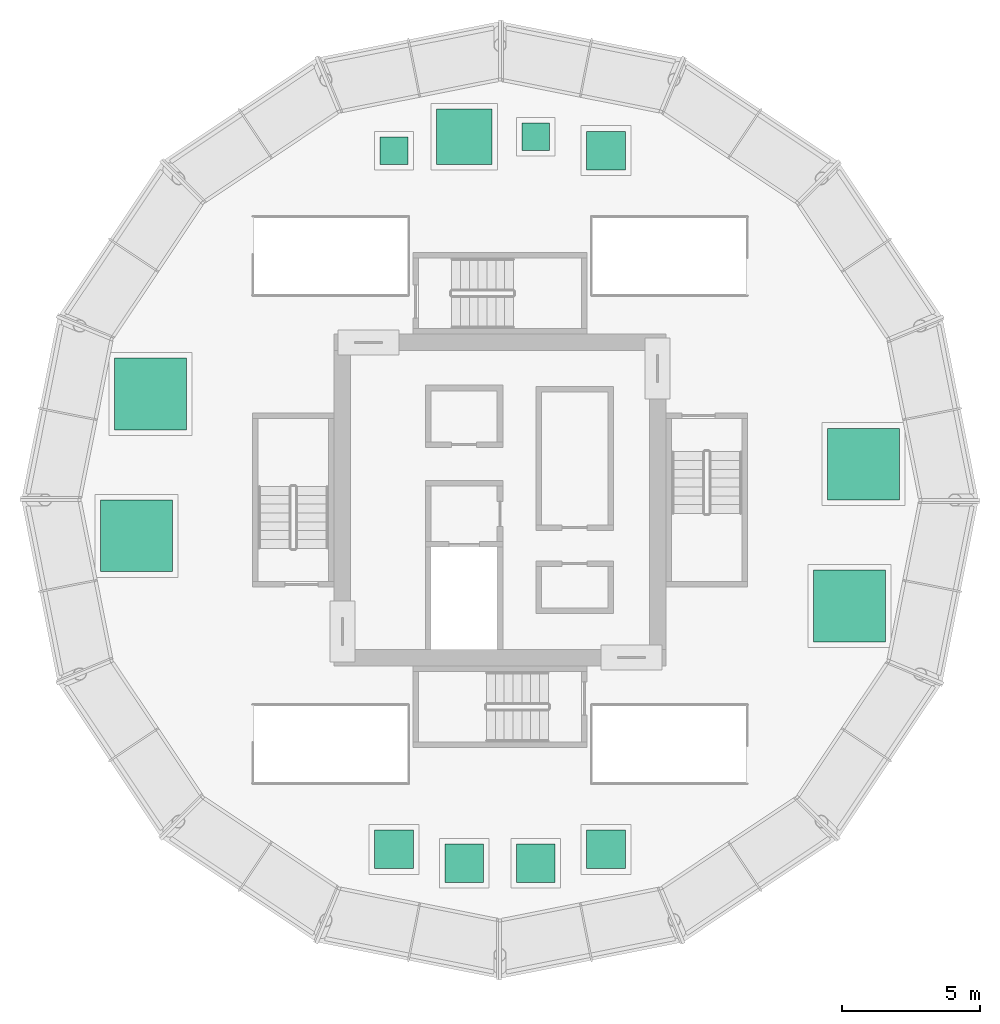
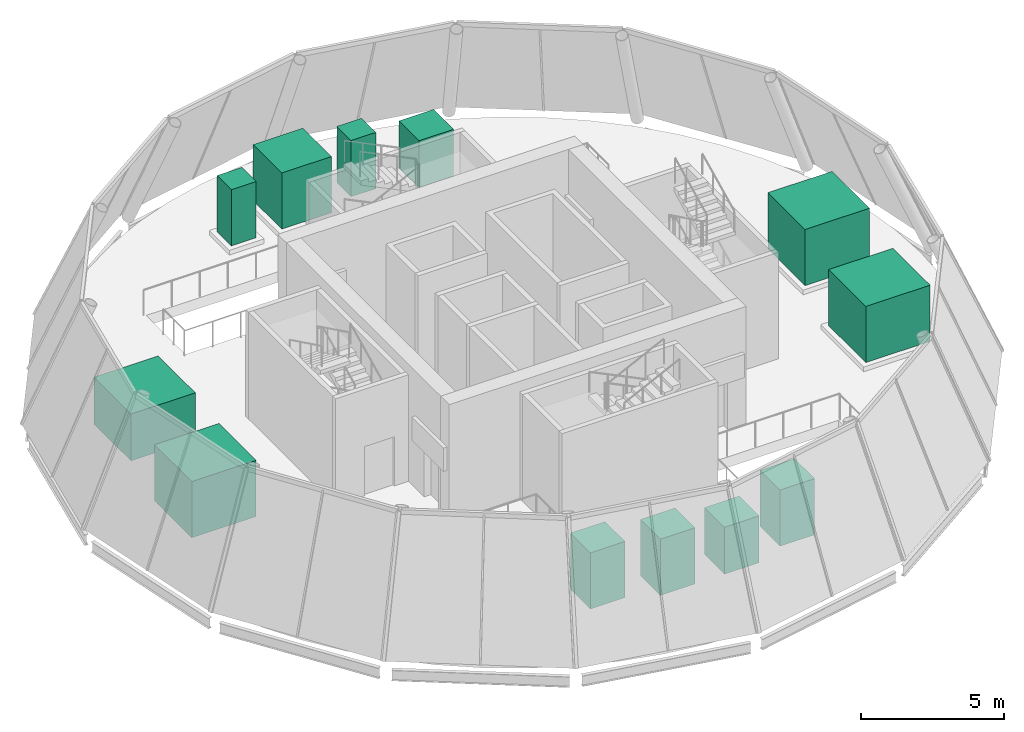
# One storey, part 8 of 8: 3 chillers, 3 electric motors, 3 tanks, 3 unitary equipment elements.
"""IFC4 building model written with IfcOpenShell, lengths in metres."""

import ifcopenshell
import ifcopenshell.guid

model = None  # the IFC model being written
_history = None  # IfcOwnerHistory: only IFC2X3 demands one
_inside = {}  # id of a spatial element -> (the spatial element, [elements in it])
_under = {}  # id of a project, library or spatial element -> (it, [spatial elements below it])
_declared = {}  # id of a project -> (the project, [libraries it declares])
_typed = {}  # id of a type object -> (the type object, [elements of that type])
_made_of = {}  # id of a material, layer set ... -> (it, [elements and type objects made of it])


def new_model(schema):
    """Start an empty IFC model of exactly this schema.

    Asked for "IFC4X3", IfcOpenShell would pick the latest addendum, in which some entities
    have other attributes; the version numbers below select the first issue.
    IFC2X3 requires an IfcOwnerHistory on every rooted entity: one is made here for all.
    """
    global model, _history
    if schema == "IFC4X3":
        model = ifcopenshell.file(schema_version=(4, 3, 0, 0))
    else:
        model = ifcopenshell.file(schema=schema)
    _inside.clear()
    _under.clear()
    _declared.clear()
    _typed.clear()
    _made_of.clear()
    _history = None
    if model.schema == "IFC2X3":
        org = make("IfcOrganization", Name="unknown")
        user = make(
            "IfcPersonAndOrganization",
            ThePerson=make("IfcPerson", FamilyName="unknown"),
            TheOrganization=org,
        )
        app = make(
            "IfcApplication",
            ApplicationDeveloper=org,
            Version="unknown",
            ApplicationFullName="unknown",
            ApplicationIdentifier="unknown",
        )
        _history = make(
            "IfcOwnerHistory",
            OwningUser=user,
            OwningApplication=app,
            ChangeAction="ADDED",
            CreationDate=0,
        )
    return model


def make(cls, **values):
    """One entity of the class cls with the attributes given. An attribute that is None is left unset."""
    return model.create_entity(
        cls, **{name: value for name, value in values.items() if value is not None}
    )


def rooted(cls, **values):
    """An entity with a GlobalId (a new one), such as an element, a storey or a relation."""
    return make(cls, GlobalId=ifcopenshell.guid.new(), OwnerHistory=_history, **values)


def si_unit(unit_type, name, prefix=None):
    """IfcSIUnit, for example si_unit("LENGTHUNIT", "METRE", prefix="MILLI")."""
    return make("IfcSIUnit", UnitType=unit_type, Prefix=prefix, Name=name)


def assignment(units):
    """IfcUnitAssignment: the units of a project."""
    return None if units is None else make("IfcUnitAssignment", Units=units)


def point(xyz):
    """IfcCartesianPoint."""
    return None if xyz is None else make("IfcCartesianPoint", Coordinates=xyz)


def direction(xyz):
    """IfcDirection."""
    return None if xyz is None else make("IfcDirection", DirectionRatios=xyz)


def frame(location, z_axis=None, x_axis=None):
    """IfcAxis2Placement3D, a coordinate frame: its origin and axes. An axis left out is left unset."""
    return make(
        "IfcAxis2Placement3D",
        Location=point(location),
        Axis=direction(z_axis),
        RefDirection=direction(x_axis),
    )


def frame_2d(location, x_axis=None):
    """IfcAxis2Placement2D, a coordinate frame in the plane: its origin and x axis."""
    return make(
        "IfcAxis2Placement2D", Location=point(location), RefDirection=direction(x_axis)
    )


def origin():
    """The frame at (0, 0, 0) with its axes left unset."""
    return frame((0.0, 0.0, 0.0))


def origin_2d():
    """The frame at (0, 0) in the plane with its x axis left unset."""
    return frame_2d((0.0, 0.0))


def place(relative_to, where):
    """IfcLocalPlacement: puts the frame where relative to a parent placement (None: the world)."""
    return make(
        "IfcLocalPlacement", PlacementRelTo=relative_to, RelativePlacement=where
    )


def context(
    kind, dimensions, precision=None, world=None, true_north=None, identifier=None
):
    """IfcGeometricRepresentationContext, for example the 3D "Model" context."""
    return make(
        "IfcGeometricRepresentationContext",
        ContextIdentifier=identifier,
        ContextType=kind,
        CoordinateSpaceDimension=dimensions,
        Precision=precision,
        WorldCoordinateSystem=world,
        TrueNorth=true_north,
    )


def subcontext(parent, identifier, kind, view, scale=None):
    """IfcGeometricRepresentationSubContext, for example "Body" below "Model"."""
    return make(
        "IfcGeometricRepresentationSubContext",
        ContextIdentifier=identifier,
        ContextType=kind,
        ParentContext=parent,
        TargetScale=scale,
        TargetView=view,
    )


def project(units=None, contexts=None):
    """IfcProject with its units and contexts."""
    return rooted(
        "IfcProject",
        Name="project",
        RepresentationContexts=contexts,
        UnitsInContext=assignment(units),
    )


def spatial(cls, under=None, at=None, **own):
    """A site, building, storey or space (cls), placed at a placement, below another one or the project."""
    s = rooted(cls, ObjectPlacement=at, **own)
    if under is not None:
        _under.setdefault(under.id(), (under, []))[1].append(s)
    return s


def profile(cls, at=None, kind="AREA", **sizes):
    """A parametric profile (cls). Its sizes go by their IFC names, for example OverallWidth=200.0."""
    return make(cls, ProfileType=kind, Position=at, **sizes)


def rectangle(**sizes):
    """IfcRectangleProfileDef."""
    return profile("IfcRectangleProfileDef", **sizes)


def extrude(swept, where, along, depth):
    """IfcExtrudedAreaSolid: the profile swept, set in the frame where, extruded along a direction by depth."""
    return make(
        "IfcExtrudedAreaSolid",
        SweptArea=swept,
        Position=where,
        ExtrudedDirection=direction(along),
        Depth=depth,
    )


def shape(context_of_items, identifier, shape_type, items):
    """IfcShapeRepresentation: the items that make up one representation, for example the "Body"."""
    return make(
        "IfcShapeRepresentation",
        ContextOfItems=context_of_items,
        RepresentationIdentifier=identifier,
        RepresentationType=shape_type,
        Items=items,
    )


def made_of(thing, what):
    """Note that an element or type object is made of a material, layer set ...; save() writes the relation."""
    if what is not None:
        _made_of.setdefault(what.id(), (what, []))[1].append(thing)
    return thing


def element(
    cls,
    number,
    at=None,
    inside=None,
    cuts=None,
    type_object=None,
    material=None,
    context=None,
    identifier="Body",
    shape_type=None,
    held_by="IfcProductDefinitionShape",
    body=None,
    shapes=None,
    **own,
):
    """One element of the class cls, such as IfcWall. Its Tag is "e" and its number.

    at: its placement. inside: the storey or other place that contains it. cuts: it is an
    opening in that element (IfcRelVoidsElement). A single representation is given by context,
    identifier, shape_type and body (its items); several are given by shapes. held_by: the class
    of the entity that holds the representations. save() writes the other relations.
    """
    e = rooted(cls, Tag="e%d" % number, ObjectPlacement=at, **own)
    if body is not None:
        shapes = [shape(context, identifier, shape_type, body)]
    if shapes is not None:
        e.Representation = make(held_by, Representations=shapes)
    if inside is not None:
        _inside.setdefault(inside.id(), (inside, []))[1].append(e)
    if cuts is not None:
        rooted(
            "IfcRelVoidsElement", RelatingBuildingElement=cuts, RelatedOpeningElement=e
        )
    if type_object is not None:
        _typed.setdefault(type_object.id(), (type_object, []))[1].append(e)
    return made_of(e, material)


def aggregate(whole, parts):
    """IfcRelAggregates: a whole, such as a stair, and the parts it consists of."""
    return rooted("IfcRelAggregates", RelatingObject=whole, RelatedObjects=parts)


def save(model, path):
    """Write the relations noted so far, then the file.

    IfcRelAggregates (storeys below a building ...), IfcRelContainedInSpatialStructure (elements
    in a storey), IfcRelDefinesByType, IfcRelAssociatesMaterial and IfcRelDeclares: one each for
    every whole, place, type object, material and project.
    """
    for whole, parts in _under.values():
        aggregate(whole, parts)
    for where, things in _inside.values():
        rooted(
            "IfcRelContainedInSpatialStructure",
            RelatedElements=things,
            RelatingStructure=where,
        )
    for kind, things in _typed.values():
        rooted("IfcRelDefinesByType", RelatedObjects=things, RelatingType=kind)
    for what, things in _made_of.values():
        rooted("IfcRelAssociatesMaterial", RelatedObjects=things, RelatingMaterial=what)
    for by, libraries in _declared.values():
        rooted("IfcRelDeclares", RelatingContext=by, RelatedDefinitions=libraries)
    model.write(path)


model = new_model("IFC4")

# Units and contexts
model_context = context("Model", 3, precision=1e-05, world=origin(), true_north=direction((0.0, 1.0)))
body_context = subcontext(model_context, "Body", "Model", "MODEL_VIEW")
ifc_project = project(units=[si_unit("LENGTHUNIT", "METRE"), si_unit("AREAUNIT", "SQUARE_METRE"), si_unit("VOLUMEUNIT", "CUBIC_METRE"), si_unit("PLANEANGLEUNIT", "RADIAN"), si_unit("MASSUNIT", "GRAM", prefix="KILO")], contexts=[model_context])

# Site, building, storey
site_placement = place(None, origin())
site = spatial("IfcSite", under=ifc_project, at=site_placement, CompositionType="ELEMENT")
building_placement = place(site_placement, origin())
building = spatial("IfcBuilding", under=site, at=building_placement, Name="Corvane Civic Tower", CompositionType="ELEMENT")
storey_placement = place(building_placement, frame((0.0, 0.0, 392.5)))
storey = spatial("IfcBuildingStorey", under=building, at=storey_placement, Name="L93", CompositionType="ELEMENT", Elevation=392.5)

# Unitary equipment
unitary_equipment_1_placement = place(storey_placement, frame((-1.2939453125, 13.135986328125, 0.199951171875), z_axis=(0.0, 0.0, 1.0), x_axis=(1.0, 0.0, 0.0)))
element("IfcUnitaryEquipment", 1, at=unitary_equipment_1_placement, inside=storey, Name="Air handler L93-01", PredefinedType="AIRHANDLER", context=body_context, shape_type="SweptSolid", body=[
    extrude(rectangle(XDim=2.0, YDim=2.0, at=origin_2d()), origin(), (0.0, 0.0, 1.0), 2.39990234375),
])

# Chiller
chiller_1_placement = place(storey_placement, frame((-3.83203125, 12.632080078125, 0.199951171875), z_axis=(0.0, 0.0, 1.0), x_axis=(1.0, 0.0, 0.0)))
element("IfcChiller", 2, at=chiller_1_placement, inside=storey, Name="Chiller L93-02", PredefinedType="WATERCOOLED", context=body_context, shape_type="SweptSolid", body=[
    extrude(rectangle(XDim=1.0, YDim=1.0, at=origin_2d()), origin(), (0.0, 0.0, 1.0), 2.39990234375),
])

# Tank
tank_1_placement = place(storey_placement, frame((-12.632080078125, 3.83203125, 0.199951171875), z_axis=(0.0, 0.0, 1.0), x_axis=(1.0, 0.0, 0.0)))
element("IfcTank", 3, at=tank_1_placement, inside=storey, Name="Water tank L93-03", PredefinedType="STORAGE", context=body_context, shape_type="SweptSolid", body=[
    extrude(rectangle(XDim=2.60009765625, YDim=2.60009765625, at=origin_2d()), origin(), (0.0, 0.0, 1.0), 2.0),
])

# Electric motor
electric_motor_1_placement = place(storey_placement, frame((-13.135986328125, -1.2939453125, 0.199951171875), z_axis=(0.0, 0.0, 1.0), x_axis=(1.0, 0.0, 0.0)))
element("IfcElectricMotor", 4, at=electric_motor_1_placement, inside=storey, Name="Lift machine room L93-04", PredefinedType="SYNCHRONOUS", context=body_context, shape_type="SweptSolid", body=[
    extrude(rectangle(XDim=2.60009765625, YDim=2.60009765625, at=origin_2d()), origin(), (0.0, 0.0, 1.0), 2.39990234375),
])

# Unitary equipment
unitary_equipment_2_placement = place(storey_placement, frame((-3.83203125, -12.632080078125, 0.199951171875), z_axis=(0.0, 0.0, 1.0), x_axis=(1.0, 0.0, 0.0)))
element("IfcUnitaryEquipment", 5, at=unitary_equipment_2_placement, inside=storey, Name="Air handler L93-05", PredefinedType="AIRHANDLER", context=body_context, shape_type="SweptSolid", body=[
    extrude(rectangle(XDim=1.39990234375, YDim=1.39990234375, at=origin_2d()), origin(), (0.0, 0.0, 1.0), 2.39990234375),
])

# Chiller
chiller_2_placement = place(storey_placement, frame((-1.2939453125, -13.135986328125, 0.199951171875), z_axis=(0.0, 0.0, 1.0), x_axis=(1.0, 0.0, 0.0)))
element("IfcChiller", 6, at=chiller_2_placement, inside=storey, Name="Chiller L93-06", PredefinedType="WATERCOOLED", context=body_context, shape_type="SweptSolid", body=[
    extrude(rectangle(XDim=1.39990234375, YDim=1.39990234375, at=origin_2d()), origin(), (0.0, 0.0, 1.0), 2.39990234375),
])

# Tank
tank_2_placement = place(storey_placement, frame((1.2939453125, -13.135986328125, 0.199951171875), z_axis=(0.0, 0.0, 1.0), x_axis=(1.0, 0.0, 0.0)))
element("IfcTank", 7, at=tank_2_placement, inside=storey, Name="Water tank L93-07", PredefinedType="STORAGE", context=body_context, shape_type="SweptSolid", body=[
    extrude(rectangle(XDim=1.39990234375, YDim=1.39990234375, at=origin_2d()), origin(), (0.0, 0.0, 1.0), 2.0),
])

# Electric motor
electric_motor_2_placement = place(storey_placement, frame((3.83203125, -12.632080078125, 0.199951171875), z_axis=(0.0, 0.0, 1.0), x_axis=(1.0, 0.0, 0.0)))
element("IfcElectricMotor", 8, at=electric_motor_2_placement, inside=storey, Name="Lift machine room L93-08", PredefinedType="SYNCHRONOUS", context=body_context, shape_type="SweptSolid", body=[
    extrude(rectangle(XDim=1.39990234375, YDim=1.39990234375, at=origin_2d()), origin(), (0.0, 0.0, 1.0), 2.39990234375),
])

# Unitary equipment
unitary_equipment_3_placement = place(storey_placement, frame((12.632080078125, -3.83203125, 0.199951171875), z_axis=(0.0, 0.0, 1.0), x_axis=(1.0, 0.0, 0.0)))
element("IfcUnitaryEquipment", 9, at=unitary_equipment_3_placement, inside=storey, Name="Air handler L93-09", PredefinedType="AIRHANDLER", context=body_context, shape_type="SweptSolid", body=[
    extrude(rectangle(XDim=2.60009765625, YDim=2.60009765625, at=origin_2d()), origin(), (0.0, 0.0, 1.0), 2.39990234375),
])

# Chiller
chiller_3_placement = place(storey_placement, frame((13.135986328125, 1.2939453125, 0.199951171875), z_axis=(0.0, 0.0, 1.0), x_axis=(1.0, 0.0, 0.0)))
element("IfcChiller", 10, at=chiller_3_placement, inside=storey, Name="Chiller L93-10", PredefinedType="WATERCOOLED", context=body_context, shape_type="SweptSolid", body=[
    extrude(rectangle(XDim=2.60009765625, YDim=2.60009765625, at=origin_2d()), origin(), (0.0, 0.0, 1.0), 2.39990234375),
])

# Tank
tank_3_placement = place(storey_placement, frame((3.83203125, 12.632080078125, 0.199951171875), z_axis=(0.0, 0.0, 1.0), x_axis=(1.0, 0.0, 0.0)))
element("IfcTank", 11, at=tank_3_placement, inside=storey, Name="Water tank L93-11", PredefinedType="STORAGE", context=body_context, shape_type="SweptSolid", body=[
    extrude(rectangle(XDim=1.39990234375, YDim=1.39990234375, at=origin_2d()), origin(), (0.0, 0.0, 1.0), 2.0),
])

# Electric motor
electric_motor_3_placement = place(storey_placement, frame((1.2939453125, 13.135986328125, 0.199951171875), z_axis=(0.0, 0.0, 1.0), x_axis=(1.0, 0.0, 0.0)))
element("IfcElectricMotor", 12, at=electric_motor_3_placement, inside=storey, Name="Lift machine room L93-12", PredefinedType="SYNCHRONOUS", context=body_context, shape_type="SweptSolid", body=[
    extrude(rectangle(XDim=1.0, YDim=1.0, at=origin_2d()), origin(), (0.0, 0.0, 1.0), 2.39990234375),
])

save(model, "model.ifc")
